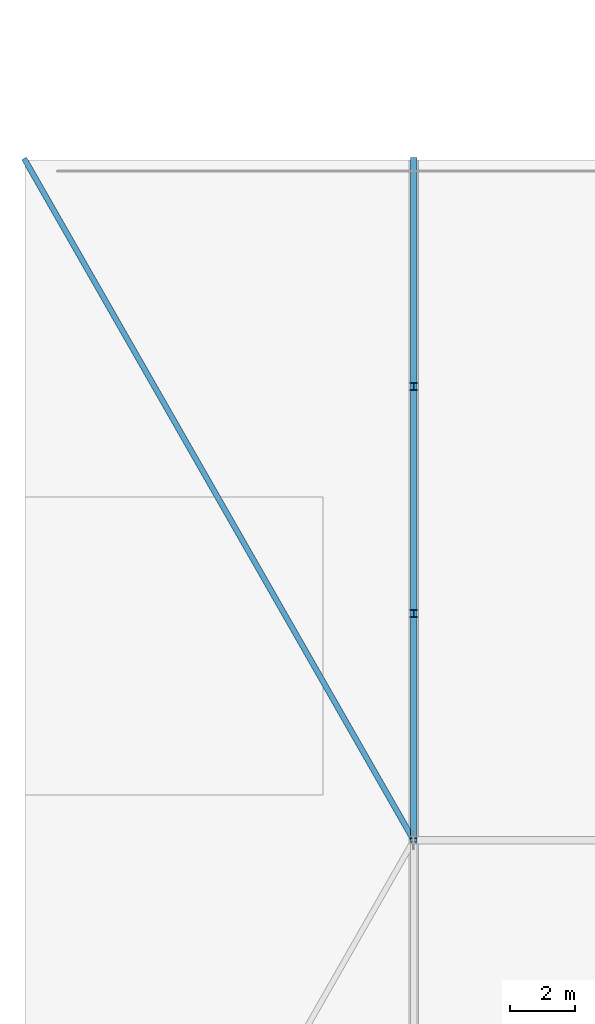
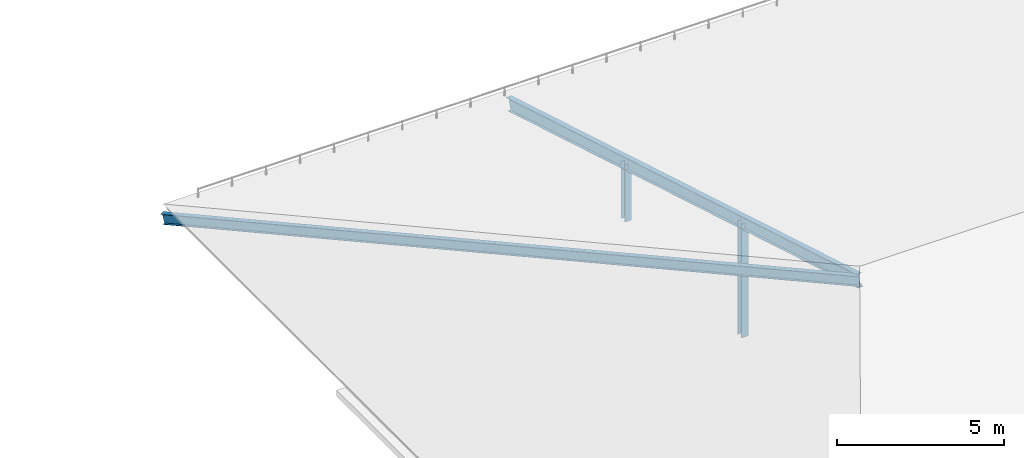
# One storey, part 47 of 204: 4 members.
"""IFC4 building model written with IfcOpenShell, lengths in metres."""

from ifc_helpers import new_model, si_unit, direction, frame, origin, origin_2d, place, context, subcontext, project, spatial, i_section, extrude, material, material_profile, profile_set, type_object, element, save


model = new_model("IFC4")

# Units and contexts
model_context = context("Model", 3, precision=1e-05, world=origin(), true_north=direction((0.0, 1.0)))
body_context = subcontext(model_context, "Body", "Model", "MODEL_VIEW")
ifc_project = project(units=[si_unit("LENGTHUNIT", "METRE"), si_unit("AREAUNIT", "SQUARE_METRE"), si_unit("VOLUMEUNIT", "CUBIC_METRE"), si_unit("PLANEANGLEUNIT", "RADIAN"), si_unit("MASSUNIT", "GRAM", prefix="KILO")], contexts=[model_context])

# Site, building, storey
site_placement = place(None, origin())
site = spatial("IfcSite", under=ifc_project, at=site_placement, CompositionType="ELEMENT")
building_placement = place(site_placement, origin())
building = spatial("IfcBuilding", under=site, at=building_placement, Name="Zilviju Railside Exhibition Hall", CompositionType="ELEMENT")
storey_placement = place(building_placement, frame((0.0, 0.0, 21.0)))
storey = spatial("IfcBuildingStorey", under=building, at=storey_placement, Name="RF", CompositionType="ELEMENT", Elevation=21.0)

# Members
ifc_material = material(Name="Steel S355J2", Category="steel")
ifc_material_profile_1 = material_profile(ifc_material, i_section(OverallWidth=0.239990234375, OverallDepth=0.22998046875, WebThickness=0.007568359375, FlangeThickness=0.011962890625, at=origin_2d()), Name="HEA 240")
ifc_profile_set_1 = profile_set([ifc_material_profile_1], Name="Steel S355J2")
member_type_1 = type_object("IfcMemberType", Name="TR-POST-HEA240", PredefinedType="POST", material=ifc_profile_set_1)
member_1_placement = place(storey_placement, frame((12.0, 64.0, -8.39990234375), z_axis=(0.0, 0.0, 1.0), x_axis=(1.0, 0.0, 0.0)))
element("IfcMember", 1, at=member_1_placement, inside=storey, type_object=member_type_1, Name="Congress Truss Web Post X=12.0", PredefinedType="POST", context=body_context, shape_type="SweptSolid", body=[
    extrude(i_section(OverallWidth=0.239990234375, OverallDepth=0.22998046875, WebThickness=0.007568359375, FlangeThickness=0.011962890625, at=origin_2d()), origin(), (0.0, 0.0, 1.0), 4.159912109375),
])
member_2_placement = place(storey_placement, frame((12.0, 71.0, -8.39990234375), z_axis=(0.0, 0.0, 1.0), x_axis=(1.0, 0.0, 0.0)))
element("IfcMember", 2, at=member_2_placement, inside=storey, type_object=member_type_1, Name="Congress Truss Web Post X=12.0", PredefinedType="POST", context=body_context, shape_type="SweptSolid", body=[
    extrude(i_section(OverallWidth=0.239990234375, OverallDepth=0.22998046875, WebThickness=0.007568359375, FlangeThickness=0.011962890625, at=origin_2d()), origin(), (0.0, 0.0, 1.0), 2.079833984375),
])
ifc_material_profile_2 = material_profile(ifc_material, i_section(OverallWidth=0.169921875, OverallDepth=0.360107421875, WebThickness=0.008056640625, FlangeThickness=0.0126953125, at=origin_2d()), Name="IPE 360")
ifc_profile_set_2 = profile_set([ifc_material_profile_2], Name="Steel S355J2")
member_type_2 = type_object("IfcMemberType", Name="TR-RAF-IPE360", PredefinedType="RAFTER", material=ifc_profile_set_2)
member_3_placement = place(storey_placement, frame((0.0, 78.0, -8.39990234375), z_axis=(0.480360405507, -0.840630709637, 0.250187711202), x_axis=(0.868243142124, 0.496138938357, 0.0)))
element("IfcMember", 3, at=member_3_placement, inside=storey, type_object=member_type_2, Name="Congress Hip Rafter", PredefinedType="RAFTER", context=body_context, shape_type="SweptSolid", body=[
    extrude(i_section(OverallWidth=0.169921875, OverallDepth=0.360107421875, WebThickness=0.008056640625, FlangeThickness=0.0126953125, at=origin_2d()), origin(), (0.0, 0.0, 1.0), 24.981201171875),
])
ifc_material_profile_3 = material_profile(ifc_material, i_section(OverallWidth=0.18994140625, OverallDepth=0.449951171875, WebThickness=0.009521484375, FlangeThickness=0.0146484375, at=origin_2d()), Name="IPE 450")
ifc_profile_set_3 = profile_set([ifc_material_profile_3], Name="Steel S355J2")
member_type_3 = type_object("IfcMemberType", Name="TR-RAF-IPE450", PredefinedType="RAFTER", material=ifc_profile_set_3)
member_4_placement = place(storey_placement, frame((12.0, 57.0, -2.14990234375), z_axis=(0.0, 0.958452078441, -0.285253594774), x_axis=(-1.0, 0.0, 0.0)))
element("IfcMember", 4, at=member_4_placement, inside=storey, type_object=member_type_3, Name="Congress Pitched Truss North Rafter X=12.0", PredefinedType="RAFTER", context=body_context, shape_type="SweptSolid", body=[
    extrude(i_section(OverallWidth=0.18994140625, OverallDepth=0.449951171875, WebThickness=0.009521484375, FlangeThickness=0.0146484375, at=origin_2d()), origin(), (0.0, 0.0, 1.0), 21.910400390625),
])

save(model, "model.ifc")
